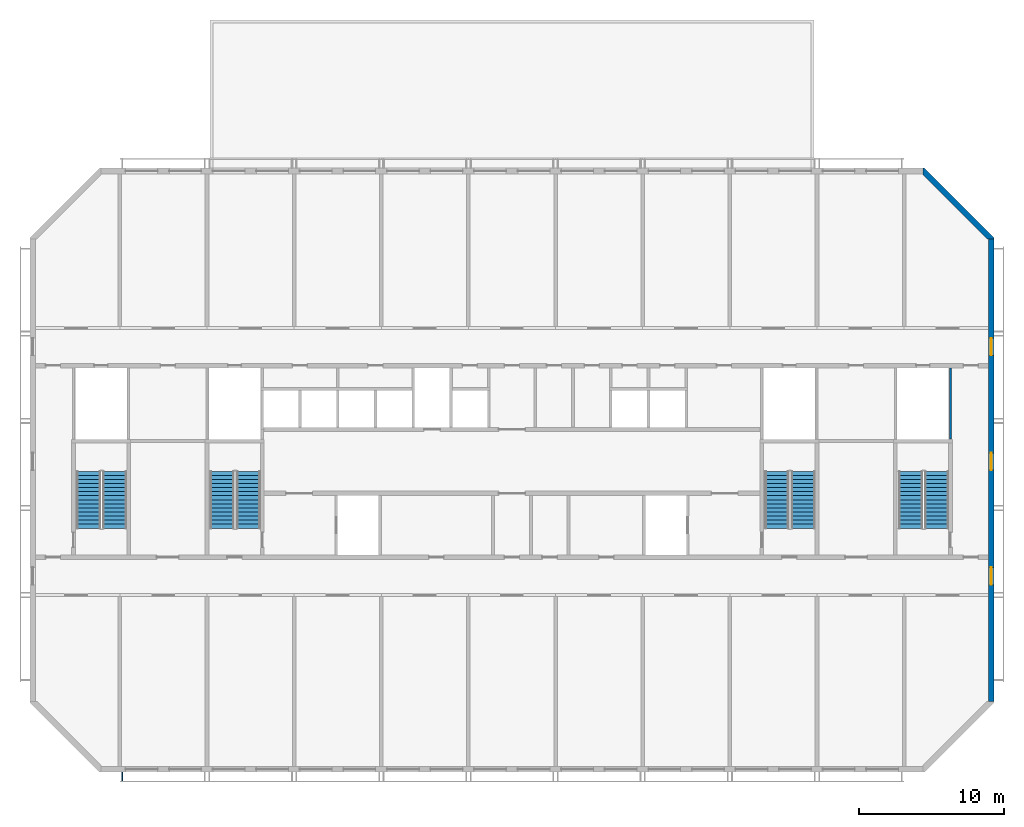
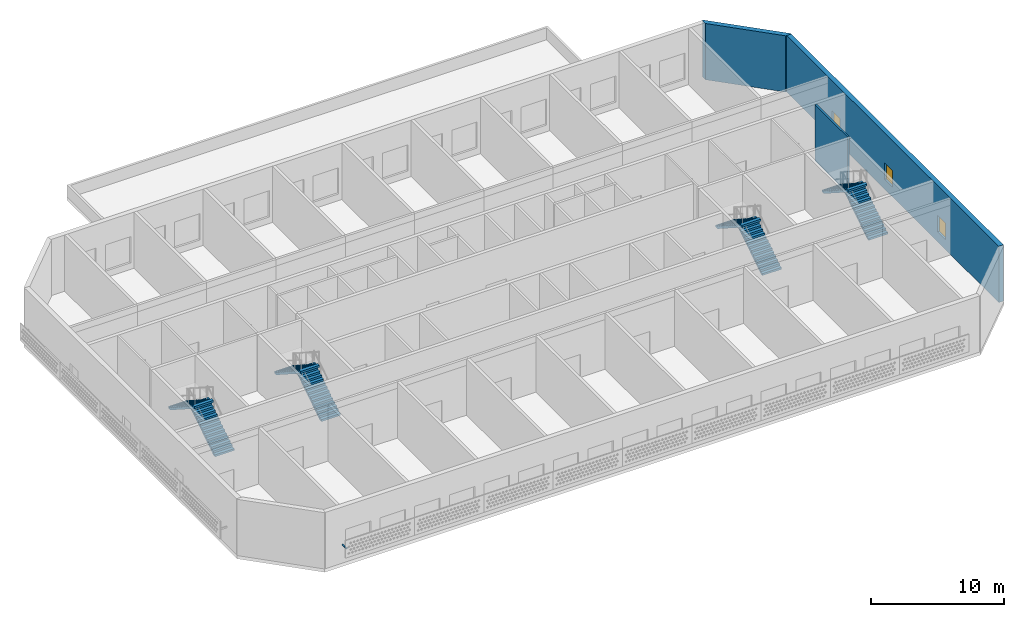
# One storey, part 7 of 18: 8 stair flights, 3 walls, 3 windows, 1 discrete accessory, 3 openings, 4 elements without a shape of their own.
"""IFC4 building model written with IfcOpenShell, lengths in metres."""

from ifc_helpers import new_model, si_unit, direction, frame, frame_2d, origin, origin_2d, place, context, subcontext, project, spatial, polyline, rectangle, outline, extrude, source, transform, mapped, material, layer, layer_set, material_profile, profile_set, type_object, element, fill, aggregate, save


model = new_model("IFC4")

# Units and contexts
model_context = context("Model", 3, precision=1e-05, world=origin(), true_north=direction((0.0, 1.0)))
body_context = subcontext(model_context, "Body", "Model", "MODEL_VIEW")
ifc_project = project(units=[si_unit("LENGTHUNIT", "METRE"), si_unit("AREAUNIT", "SQUARE_METRE"), si_unit("VOLUMEUNIT", "CUBIC_METRE"), si_unit("PLANEANGLEUNIT", "RADIAN"), si_unit("MASSUNIT", "GRAM", prefix="KILO")], contexts=[model_context])

# Site, building, storey
site_placement = place(None, origin())
site = spatial("IfcSite", under=ifc_project, at=site_placement, CompositionType="ELEMENT")
building_placement = place(site_placement, origin())
building = spatial("IfcBuilding", under=site, at=building_placement, Name="Poui Terraces", CompositionType="ELEMENT")
storey_placement = place(building_placement, frame((0.0, 0.0, 267.0)))
storey = spatial("IfcBuildingStorey", under=building, at=storey_placement, Name="L74", CompositionType="ELEMENT", Elevation=267.0)

# Wall, openings, windows
ifc_material_1 = material(Name="Concrete 50 MPa", Category="concrete")
ifc_layer_1 = layer(ifc_material_1, 0.39990234375)
ifc_layer_set_1 = layer_set([ifc_layer_1], Name="Concrete 50 MPa")
wall_type_1 = type_object("IfcWallType", Name="END WALL 400 50MPa", PredefinedType="SHEAR", material=ifc_layer_set_1)
wall_1_placement = place(storey_placement, frame((84.0, 4.682861328125, 0.0), z_axis=(0.0, 0.0, 1.0), x_axis=(0.0, 1.0, 0.0)))
wall_1 = element("IfcWall", 1, at=wall_1_placement, inside=storey, type_object=wall_type_1, Name="END WALL EAST", PredefinedType="SHEAR", context=body_context, shape_type="SweptSolid", body=[
    extrude(rectangle(XDim=31.834228515625, YDim=0.39990234375, at=frame_2d((15.9169921875, 0.0))), origin(), (0.0, 0.0, 1.0), 5.14990234375),
])
opening_1_placement = place(wall_1_placement, frame((23.817138671875, 0.0, 0.89990234375)))
opening_1 = element("IfcOpeningElement", 2, at=opening_1_placement, cuts=wall_1, Name="Opening W2", PredefinedType="OPENING", context=body_context, shape_type="SweptSolid", body=[
    extrude(rectangle(XDim=1.199951171875, YDim=1.5, at=frame_2d((0.60009765625, 0.75))), frame((0.0, 0.2099609375, 0.0), z_axis=(0.0, -1.0, 0.0), x_axis=(1.0, 0.0, 0.0)), (0.0, 0.0, 1.0), 0.419921875),
])
opening_2_placement = place(wall_1_placement, frame((8.01708984375, 0.0, 0.89990234375)))
opening_2 = element("IfcOpeningElement", 3, at=opening_2_placement, cuts=wall_1, Name="Opening W2", PredefinedType="OPENING", context=body_context, shape_type="SweptSolid", body=[
    extrude(rectangle(XDim=1.199951171875, YDim=1.5, at=frame_2d((0.60009765625, 0.75))), frame((0.0, 0.2099609375, 0.0), z_axis=(0.0, -1.0, 0.0), x_axis=(1.0, 0.0, 0.0)), (0.0, 0.0, 1.0), 0.419921875),
])
opening_3_placement = place(wall_1_placement, frame((15.917236328125, 0.0, 0.89990234375)))
opening_3 = element("IfcOpeningElement", 4, at=opening_3_placement, cuts=wall_1, Name="Opening W2", PredefinedType="OPENING", context=body_context, shape_type="SweptSolid", body=[
    extrude(rectangle(XDim=1.199951171875, YDim=1.5, at=frame_2d((0.60009765625, 0.75))), frame((0.0, 0.2099609375, 0.0), z_axis=(0.0, -1.0, 0.0), x_axis=(1.0, 0.0, 0.0)), (0.0, 0.0, 1.0), 0.419921875),
])
ifc_material_2 = material(Name="Clear glass in aluminium frame", Category="aluminium")
window_type = type_object("IfcWindowType", Name="WINDOW 1200X1500", PartitioningType="SINGLE_PANEL", PredefinedType="WINDOW", material=ifc_material_2)
window_1_placement = place(opening_1_placement, origin())
window_1 = element("IfcWindow", 5, at=window_1_placement, inside=storey, type_object=window_type, Name="W2 WINDOW", OverallHeight=1.5, OverallWidth=1.199951171875, PartitioningType="SINGLE_PANEL", PredefinedType="WINDOW", context=body_context, shape_type="SweptSolid", body=[
    extrude(rectangle(XDim=1.199951171875, YDim=1.5, at=frame_2d((0.60009765625, 0.75))), frame((0.0, 0.030029296875, 0.0), z_axis=(0.0, -1.0, 0.0), x_axis=(1.0, 0.0, 0.0)), (0.0, 0.0, 1.0), 0.06005859375),
])
fill(opening_1, window_1)
window_2_placement = place(opening_2_placement, origin())
window_2 = element("IfcWindow", 6, at=window_2_placement, inside=storey, type_object=window_type, Name="W2 WINDOW", OverallHeight=1.5, OverallWidth=1.199951171875, PartitioningType="SINGLE_PANEL", PredefinedType="WINDOW", context=body_context, shape_type="SweptSolid", body=[
    extrude(rectangle(XDim=1.199951171875, YDim=1.5, at=frame_2d((0.60009765625, 0.75))), frame((0.0, 0.030029296875, 0.0), z_axis=(0.0, -1.0, 0.0), x_axis=(1.0, 0.0, 0.0)), (0.0, 0.0, 1.0), 0.06005859375),
])
fill(opening_2, window_2)
window_3_placement = place(opening_3_placement, origin())
window_3 = element("IfcWindow", 7, at=window_3_placement, inside=storey, type_object=window_type, Name="W2 WINDOW", OverallHeight=1.5, OverallWidth=1.199951171875, PartitioningType="SINGLE_PANEL", PredefinedType="WINDOW", context=body_context, shape_type="SweptSolid", body=[
    extrude(rectangle(XDim=1.199951171875, YDim=1.5, at=frame_2d((0.60009765625, 0.75))), frame((0.0, 0.030029296875, 0.0), z_axis=(0.0, -1.0, 0.0), x_axis=(1.0, 0.0, 0.0)), (0.0, 0.0, 1.0), 0.06005859375),
])
fill(opening_3, window_3)

# Walls
ifc_material_3 = material(Name="Fire-rated plasterboard riser wall")
ifc_layer_2 = layer(ifc_material_3, 0.14990234375)
ifc_layer_set_2 = layer_set([ifc_layer_2], Name="Fire-rated plasterboard riser wall")
wall_type_2 = type_object("IfcWallType", Name="RISER WALL 150", PredefinedType="PARTITIONING", material=ifc_layer_set_2)
wall_2_placement = place(storey_placement, frame((81.199951171875, 22.735107421875, 0.0), z_axis=(0.0, 0.0, 1.0), x_axis=(0.0, 1.0, 0.0)))
element("IfcWall", 8, at=wall_2_placement, inside=storey, type_object=wall_type_2, Name="RISER WALL 150", PredefinedType="PARTITIONING", context=body_context, shape_type="SweptSolid", body=[
    extrude(rectangle(XDim=4.90478515625, YDim=0.14990234375, at=frame_2d((2.452392578125, 0.0))), origin(), (0.0, 0.0, 1.0), 5.14990234375),
])
ifc_material_4 = material(Name="Precast concrete 40 MPa", Category="concrete")
ifc_layer_3 = layer(ifc_material_4, 0.39990234375)
ifc_layer_set_3 = layer_set([ifc_layer_3], Name="Precast concrete 40 MPa")
wall_type_3 = type_object("IfcWallType", Name="TERRACOTTA CLAD CHAMFER WALL 400", PredefinedType="STANDARD", material=ifc_layer_set_3)
wall_3_placement = place(storey_placement, origin())
element("IfcWall", 9, at=wall_3_placement, inside=storey, type_object=wall_type_3, Name="CHAMFER WALL CH03", PredefinedType="STANDARD", context=body_context, shape_type="SweptSolid", body=[
    extrude(outline(polyline([(84.199951171875, 36.51708984375), (84.199951171875, 36.60009765625), (79.39990234375, 41.39990234375), (79.317138671875, 41.39990234375), (79.317138671875, 40.917236328125), (83.71728515625, 36.51708984375), (84.199951171875, 36.51708984375)])), origin(), (0.0, 0.0, 1.0), 5.14990234375),
])

# Stair, stair flights
stair_type = type_object("IfcStairType", Name="EXIT STAIR 1650 50 MPA", PredefinedType="HALF_TURN_STAIR", material=ifc_material_1)
stair_1_placement = place(storey_placement, origin())
stair_1 = element("IfcStair", 10, at=stair_1_placement, inside=storey, type_object=stair_type, Name="L74 CORE STAIR EAST", PredefinedType="HALF_TURN_STAIR")
ifc_layer_4 = layer(ifc_material_1, 0.14990234375)
ifc_layer_set_4 = layer_set([ifc_layer_4], Name="Concrete 50 MPa")
stair_flight_type = type_object("IfcStairFlightType", Name="STAIR FLIGHT 15 RISERS 180 RISE 50 MPA", PredefinedType="STRAIGHT", material=ifc_layer_set_4)
stair_flight_1_placement = place(storey_placement, frame((71.050048828125, 16.60009765625, 0.0), z_axis=(0.0, 0.0, 1.0), x_axis=(0.0, 1.0, 0.0)))
stair_flight_1 = element("IfcStairFlight", 11, at=stair_flight_1_placement, type_object=stair_flight_type, Name="ST-CE flight 1", NumberOfRisers=15, NumberOfTreads=14, PredefinedType="STRAIGHT", RiserHeight=0.18, TreadLength=0.28, context=body_context, shape_type="SweptSolid", body=[
    extrude(outline(polyline([(0.0, 0.0), (0.0, 0.179931640625), (0.280029296875, 0.179931640625), (0.280029296875, 0.360107421875), (0.56005859375, 0.360107421875), (0.56005859375, 0.5400390625), (0.840087890625, 0.5400390625), (0.840087890625, 0.719970703125), (1.1201171875, 0.719970703125), (1.1201171875, 0.89990234375), (1.39990234375, 0.89990234375), (1.39990234375, 1.080078125), (1.679931640625, 1.080078125), (1.679931640625, 1.260009765625), (1.9599609375, 1.260009765625), (1.9599609375, 1.43994140625), (2.239990234375, 1.43994140625), (2.239990234375, 1.6201171875), (2.52001953125, 1.6201171875), (2.52001953125, 1.800048828125), (2.800048828125, 1.800048828125), (2.800048828125, 1.97998046875), (3.080078125, 1.97998046875), (3.080078125, 2.159912109375), (3.360107421875, 2.159912109375), (3.360107421875, 2.340087890625), (3.639892578125, 2.340087890625), (3.639892578125, 2.52001953125), (3.919921875, 2.52001953125), (3.919921875, 2.699951171875), (3.919921875, 2.341796875), (0.277099609375, 0.0), (0.0, 0.0)])), frame((0.0, 0.824951171875, 0.0), z_axis=(0.0, -1.0, 0.0), x_axis=(1.0, 0.0, 0.0)), (0.0, 0.0, 1.0), 1.64990234375),
])
stair_flight_2_placement = place(storey_placement, frame((69.25, 20.52001953125, 2.699951171875), z_axis=(0.0, 0.0, 1.0), x_axis=(0.0, -1.0, 0.0)))
stair_flight_2 = element("IfcStairFlight", 12, at=stair_flight_2_placement, type_object=stair_flight_type, Name="ST-CE flight 2", NumberOfRisers=15, NumberOfTreads=14, PredefinedType="STRAIGHT", RiserHeight=0.18, TreadLength=0.28, context=body_context, shape_type="SweptSolid", body=[
    extrude(outline(polyline([(0.0, 0.0), (0.0, 0.179931640625), (0.280029296875, 0.179931640625), (0.280029296875, 0.360107421875), (0.56005859375, 0.360107421875), (0.56005859375, 0.5400390625), (0.840087890625, 0.5400390625), (0.840087890625, 0.719970703125), (1.1201171875, 0.719970703125), (1.1201171875, 0.89990234375), (1.39990234375, 0.89990234375), (1.39990234375, 1.080078125), (1.679931640625, 1.080078125), (1.679931640625, 1.260009765625), (1.9599609375, 1.260009765625), (1.9599609375, 1.43994140625), (2.239990234375, 1.43994140625), (2.239990234375, 1.6201171875), (2.52001953125, 1.6201171875), (2.52001953125, 1.800048828125), (2.800048828125, 1.800048828125), (2.800048828125, 1.97998046875), (3.080078125, 1.97998046875), (3.080078125, 2.159912109375), (3.360107421875, 2.159912109375), (3.360107421875, 2.340087890625), (3.639892578125, 2.340087890625), (3.639892578125, 2.52001953125), (3.919921875, 2.52001953125), (3.919921875, 2.699951171875), (3.919921875, 2.341796875), (0.277099609375, 0.0), (0.0, 0.0)])), frame((0.0, 0.824951171875, 0.0), z_axis=(0.0, -1.0, 0.0), x_axis=(1.0, 0.0, 0.0)), (0.0, 0.0, 1.0), 1.64990234375),
])
aggregate(stair_1, [stair_flight_1, stair_flight_2])

stair_2_placement = place(storey_placement, origin())
stair_2 = element("IfcStair", 13, at=stair_2_placement, inside=storey, type_object=stair_type, Name="L74 CORE STAIR WEST", PredefinedType="HALF_TURN_STAIR")
stair_flight_3_placement = place(storey_placement, frame((32.85009765625, 16.60009765625, 0.0), z_axis=(0.0, 0.0, 1.0), x_axis=(0.0, 1.0, 0.0)))
stair_flight_3 = element("IfcStairFlight", 14, at=stair_flight_3_placement, type_object=stair_flight_type, Name="ST-CW flight 1", NumberOfRisers=15, NumberOfTreads=14, PredefinedType="STRAIGHT", RiserHeight=0.18, TreadLength=0.28, context=body_context, shape_type="SweptSolid", body=[
    extrude(outline(polyline([(0.0, 0.0), (0.0, 0.179931640625), (0.280029296875, 0.179931640625), (0.280029296875, 0.360107421875), (0.56005859375, 0.360107421875), (0.56005859375, 0.5400390625), (0.840087890625, 0.5400390625), (0.840087890625, 0.719970703125), (1.1201171875, 0.719970703125), (1.1201171875, 0.89990234375), (1.39990234375, 0.89990234375), (1.39990234375, 1.080078125), (1.679931640625, 1.080078125), (1.679931640625, 1.260009765625), (1.9599609375, 1.260009765625), (1.9599609375, 1.43994140625), (2.239990234375, 1.43994140625), (2.239990234375, 1.6201171875), (2.52001953125, 1.6201171875), (2.52001953125, 1.800048828125), (2.800048828125, 1.800048828125), (2.800048828125, 1.97998046875), (3.080078125, 1.97998046875), (3.080078125, 2.159912109375), (3.360107421875, 2.159912109375), (3.360107421875, 2.340087890625), (3.639892578125, 2.340087890625), (3.639892578125, 2.52001953125), (3.919921875, 2.52001953125), (3.919921875, 2.699951171875), (3.919921875, 2.341796875), (0.277099609375, 0.0), (0.0, 0.0)])), frame((0.0, 0.824951171875, 0.0), z_axis=(0.0, -1.0, 0.0), x_axis=(1.0, 0.0, 0.0)), (0.0, 0.0, 1.0), 1.64990234375),
])
stair_flight_4_placement = place(storey_placement, frame((31.050048828125, 20.52001953125, 2.699951171875), z_axis=(0.0, 0.0, 1.0), x_axis=(0.0, -1.0, 0.0)))
stair_flight_4 = element("IfcStairFlight", 15, at=stair_flight_4_placement, type_object=stair_flight_type, Name="ST-CW flight 2", NumberOfRisers=15, NumberOfTreads=14, PredefinedType="STRAIGHT", RiserHeight=0.18, TreadLength=0.28, context=body_context, shape_type="SweptSolid", body=[
    extrude(outline(polyline([(0.0, 0.0), (0.0, 0.179931640625), (0.280029296875, 0.179931640625), (0.280029296875, 0.360107421875), (0.56005859375, 0.360107421875), (0.56005859375, 0.5400390625), (0.840087890625, 0.5400390625), (0.840087890625, 0.719970703125), (1.1201171875, 0.719970703125), (1.1201171875, 0.89990234375), (1.39990234375, 0.89990234375), (1.39990234375, 1.080078125), (1.679931640625, 1.080078125), (1.679931640625, 1.260009765625), (1.9599609375, 1.260009765625), (1.9599609375, 1.43994140625), (2.239990234375, 1.43994140625), (2.239990234375, 1.6201171875), (2.52001953125, 1.6201171875), (2.52001953125, 1.800048828125), (2.800048828125, 1.800048828125), (2.800048828125, 1.97998046875), (3.080078125, 1.97998046875), (3.080078125, 2.159912109375), (3.360107421875, 2.159912109375), (3.360107421875, 2.340087890625), (3.639892578125, 2.340087890625), (3.639892578125, 2.52001953125), (3.919921875, 2.52001953125), (3.919921875, 2.699951171875), (3.919921875, 2.341796875), (0.277099609375, 0.0), (0.0, 0.0)])), frame((0.0, 0.824951171875, 0.0), z_axis=(0.0, -1.0, 0.0), x_axis=(1.0, 0.0, 0.0)), (0.0, 0.0, 1.0), 1.64990234375),
])
aggregate(stair_2, [stair_flight_3, stair_flight_4])

stair_3_placement = place(storey_placement, origin())
stair_3 = element("IfcStair", 16, at=stair_3_placement, inside=storey, type_object=stair_type, Name="L74 TIP STAIR EAST", PredefinedType="HALF_TURN_STAIR")
stair_flight_5_placement = place(storey_placement, frame((80.25, 16.60009765625, 0.0), z_axis=(0.0, 0.0, 1.0), x_axis=(0.0, 1.0, 0.0)))
stair_flight_5 = element("IfcStairFlight", 17, at=stair_flight_5_placement, type_object=stair_flight_type, Name="ST-E flight 1", NumberOfRisers=15, NumberOfTreads=14, PredefinedType="STRAIGHT", RiserHeight=0.18, TreadLength=0.28, context=body_context, shape_type="SweptSolid", body=[
    extrude(outline(polyline([(0.0, 0.0), (0.0, 0.179931640625), (0.280029296875, 0.179931640625), (0.280029296875, 0.360107421875), (0.56005859375, 0.360107421875), (0.56005859375, 0.5400390625), (0.840087890625, 0.5400390625), (0.840087890625, 0.719970703125), (1.1201171875, 0.719970703125), (1.1201171875, 0.89990234375), (1.39990234375, 0.89990234375), (1.39990234375, 1.080078125), (1.679931640625, 1.080078125), (1.679931640625, 1.260009765625), (1.9599609375, 1.260009765625), (1.9599609375, 1.43994140625), (2.239990234375, 1.43994140625), (2.239990234375, 1.6201171875), (2.52001953125, 1.6201171875), (2.52001953125, 1.800048828125), (2.800048828125, 1.800048828125), (2.800048828125, 1.97998046875), (3.080078125, 1.97998046875), (3.080078125, 2.159912109375), (3.360107421875, 2.159912109375), (3.360107421875, 2.340087890625), (3.639892578125, 2.340087890625), (3.639892578125, 2.52001953125), (3.919921875, 2.52001953125), (3.919921875, 2.699951171875), (3.919921875, 2.341796875), (0.277099609375, 0.0), (0.0, 0.0)])), frame((0.0, 0.824951171875, 0.0), z_axis=(0.0, -1.0, 0.0), x_axis=(1.0, 0.0, 0.0)), (0.0, 0.0, 1.0), 1.64990234375),
])
stair_flight_6_placement = place(storey_placement, frame((78.449951171875, 20.52001953125, 2.699951171875), z_axis=(0.0, 0.0, 1.0), x_axis=(0.0, -1.0, 0.0)))
stair_flight_6 = element("IfcStairFlight", 18, at=stair_flight_6_placement, type_object=stair_flight_type, Name="ST-E flight 2", NumberOfRisers=15, NumberOfTreads=14, PredefinedType="STRAIGHT", RiserHeight=0.18, TreadLength=0.28, context=body_context, shape_type="SweptSolid", body=[
    extrude(outline(polyline([(0.0, 0.0), (0.0, 0.179931640625), (0.280029296875, 0.179931640625), (0.280029296875, 0.360107421875), (0.56005859375, 0.360107421875), (0.56005859375, 0.5400390625), (0.840087890625, 0.5400390625), (0.840087890625, 0.719970703125), (1.1201171875, 0.719970703125), (1.1201171875, 0.89990234375), (1.39990234375, 0.89990234375), (1.39990234375, 1.080078125), (1.679931640625, 1.080078125), (1.679931640625, 1.260009765625), (1.9599609375, 1.260009765625), (1.9599609375, 1.43994140625), (2.239990234375, 1.43994140625), (2.239990234375, 1.6201171875), (2.52001953125, 1.6201171875), (2.52001953125, 1.800048828125), (2.800048828125, 1.800048828125), (2.800048828125, 1.97998046875), (3.080078125, 1.97998046875), (3.080078125, 2.159912109375), (3.360107421875, 2.159912109375), (3.360107421875, 2.340087890625), (3.639892578125, 2.340087890625), (3.639892578125, 2.52001953125), (3.919921875, 2.52001953125), (3.919921875, 2.699951171875), (3.919921875, 2.341796875), (0.277099609375, 0.0), (0.0, 0.0)])), frame((0.0, 0.824951171875, 0.0), z_axis=(0.0, -1.0, 0.0), x_axis=(1.0, 0.0, 0.0)), (0.0, 0.0, 1.0), 1.64990234375),
])
aggregate(stair_3, [stair_flight_5, stair_flight_6])

stair_4_placement = place(storey_placement, origin())
stair_4 = element("IfcStair", 19, at=stair_4_placement, inside=storey, type_object=stair_type, Name="L74 TIP STAIR WEST", PredefinedType="HALF_TURN_STAIR")
stair_flight_7_placement = place(storey_placement, frame((23.64990234375, 16.60009765625, 0.0), z_axis=(0.0, 0.0, 1.0), x_axis=(0.0, 1.0, 0.0)))
stair_flight_7 = element("IfcStairFlight", 20, at=stair_flight_7_placement, type_object=stair_flight_type, Name="ST-W flight 1", NumberOfRisers=15, NumberOfTreads=14, PredefinedType="STRAIGHT", RiserHeight=0.18, TreadLength=0.28, context=body_context, shape_type="SweptSolid", body=[
    extrude(outline(polyline([(0.0, 0.0), (0.0, 0.179931640625), (0.280029296875, 0.179931640625), (0.280029296875, 0.360107421875), (0.56005859375, 0.360107421875), (0.56005859375, 0.5400390625), (0.840087890625, 0.5400390625), (0.840087890625, 0.719970703125), (1.1201171875, 0.719970703125), (1.1201171875, 0.89990234375), (1.39990234375, 0.89990234375), (1.39990234375, 1.080078125), (1.679931640625, 1.080078125), (1.679931640625, 1.260009765625), (1.9599609375, 1.260009765625), (1.9599609375, 1.43994140625), (2.239990234375, 1.43994140625), (2.239990234375, 1.6201171875), (2.52001953125, 1.6201171875), (2.52001953125, 1.800048828125), (2.800048828125, 1.800048828125), (2.800048828125, 1.97998046875), (3.080078125, 1.97998046875), (3.080078125, 2.159912109375), (3.360107421875, 2.159912109375), (3.360107421875, 2.340087890625), (3.639892578125, 2.340087890625), (3.639892578125, 2.52001953125), (3.919921875, 2.52001953125), (3.919921875, 2.699951171875), (3.919921875, 2.341796875), (0.277099609375, 0.0), (0.0, 0.0)])), frame((0.0, 0.824951171875, 0.0), z_axis=(0.0, -1.0, 0.0), x_axis=(1.0, 0.0, 0.0)), (0.0, 0.0, 1.0), 1.64990234375),
])
stair_flight_8_placement = place(storey_placement, frame((21.85009765625, 20.52001953125, 2.699951171875), z_axis=(0.0, 0.0, 1.0), x_axis=(0.0, -1.0, 0.0)))
stair_flight_8 = element("IfcStairFlight", 21, at=stair_flight_8_placement, type_object=stair_flight_type, Name="ST-W flight 2", NumberOfRisers=15, NumberOfTreads=14, PredefinedType="STRAIGHT", RiserHeight=0.18, TreadLength=0.28, context=body_context, shape_type="SweptSolid", body=[
    extrude(outline(polyline([(0.0, 0.0), (0.0, 0.179931640625), (0.280029296875, 0.179931640625), (0.280029296875, 0.360107421875), (0.56005859375, 0.360107421875), (0.56005859375, 0.5400390625), (0.840087890625, 0.5400390625), (0.840087890625, 0.719970703125), (1.1201171875, 0.719970703125), (1.1201171875, 0.89990234375), (1.39990234375, 0.89990234375), (1.39990234375, 1.080078125), (1.679931640625, 1.080078125), (1.679931640625, 1.260009765625), (1.9599609375, 1.260009765625), (1.9599609375, 1.43994140625), (2.239990234375, 1.43994140625), (2.239990234375, 1.6201171875), (2.52001953125, 1.6201171875), (2.52001953125, 1.800048828125), (2.800048828125, 1.800048828125), (2.800048828125, 1.97998046875), (3.080078125, 1.97998046875), (3.080078125, 2.159912109375), (3.360107421875, 2.159912109375), (3.360107421875, 2.340087890625), (3.639892578125, 2.340087890625), (3.639892578125, 2.52001953125), (3.919921875, 2.52001953125), (3.919921875, 2.699951171875), (3.919921875, 2.341796875), (0.277099609375, 0.0), (0.0, 0.0)])), frame((0.0, 0.824951171875, 0.0), z_axis=(0.0, -1.0, 0.0), x_axis=(1.0, 0.0, 0.0)), (0.0, 0.0, 1.0), 1.64990234375),
])
aggregate(stair_4, [stair_flight_7, stair_flight_8])

# Discrete accessory
ifc_material_5 = material(Name="Galvanised steel", Category="steel")
ifc_material_profile = material_profile(ifc_material_5, rectangle(XDim=0.080078125, YDim=0.080078125, at=origin_2d()), Name="SCREEN BRACKET 80")
ifc_profile_set = profile_set([ifc_material_profile], Name="Galvanised steel")
discrete_accessory_type = type_object("IfcDiscreteAccessoryType", Name="SCREEN BRACKET 80", PredefinedType="BRACKET", material=ifc_profile_set)
shared_shape = source(origin(), body_context, "Body", "SweptSolid", [
    extrude(rectangle(XDim=0.080078125, YDim=0.080078125, at=origin_2d()), origin(), (0.0, 0.0, 1.0), 0.60009765625),
])
discrete_accessory_placement = place(storey_placement, frame((24.14990234375, -0.199951171875, 1.699951171875), z_axis=(0.0, -1.0, 0.0), x_axis=(1.0, 0.0, 0.0)))
element("IfcDiscreteAccessory", 22, at=discrete_accessory_placement, inside=storey, type_object=discrete_accessory_type, Name="SCREEN BRACKET", PredefinedType="BRACKET", context=body_context, shape_type="MappedRepresentation", body=[
    mapped(shared_shape, transform((0.0, 0.0, 0.0))),
])

save(model, "model.ifc")
